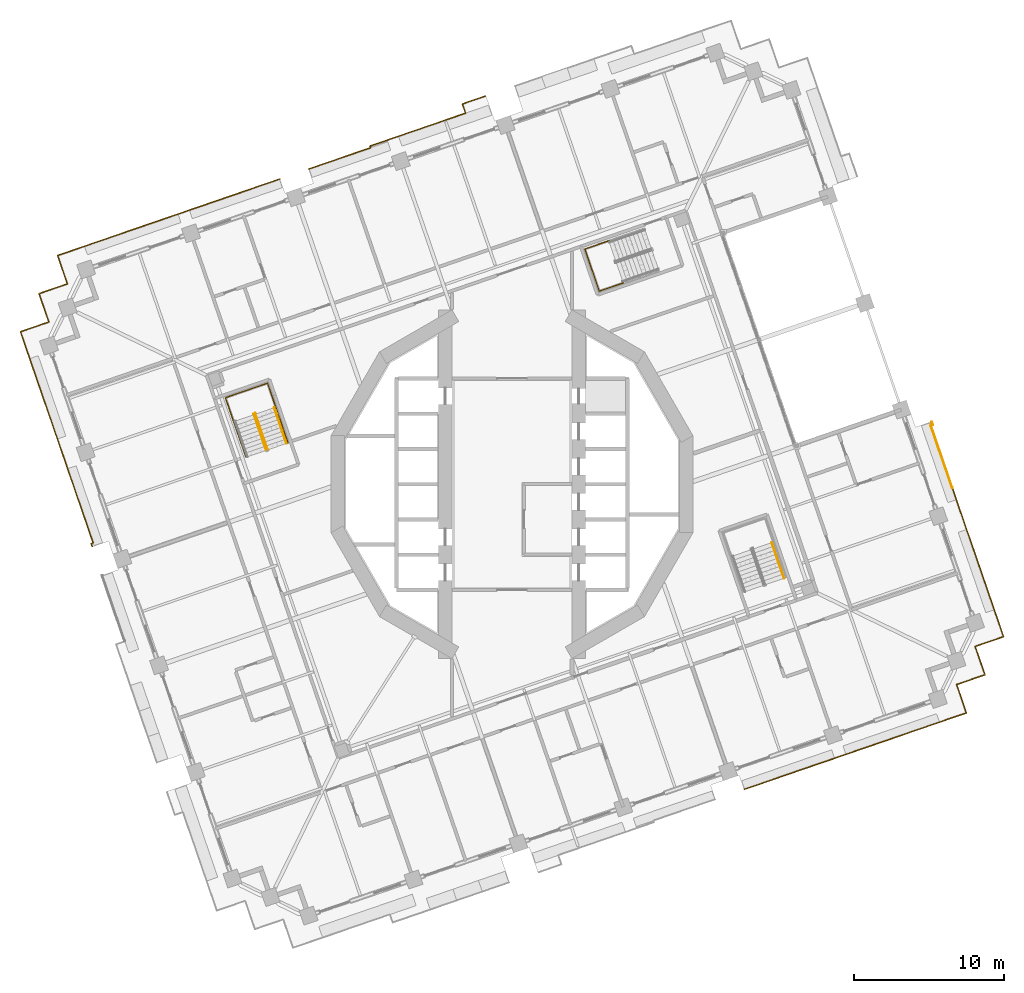
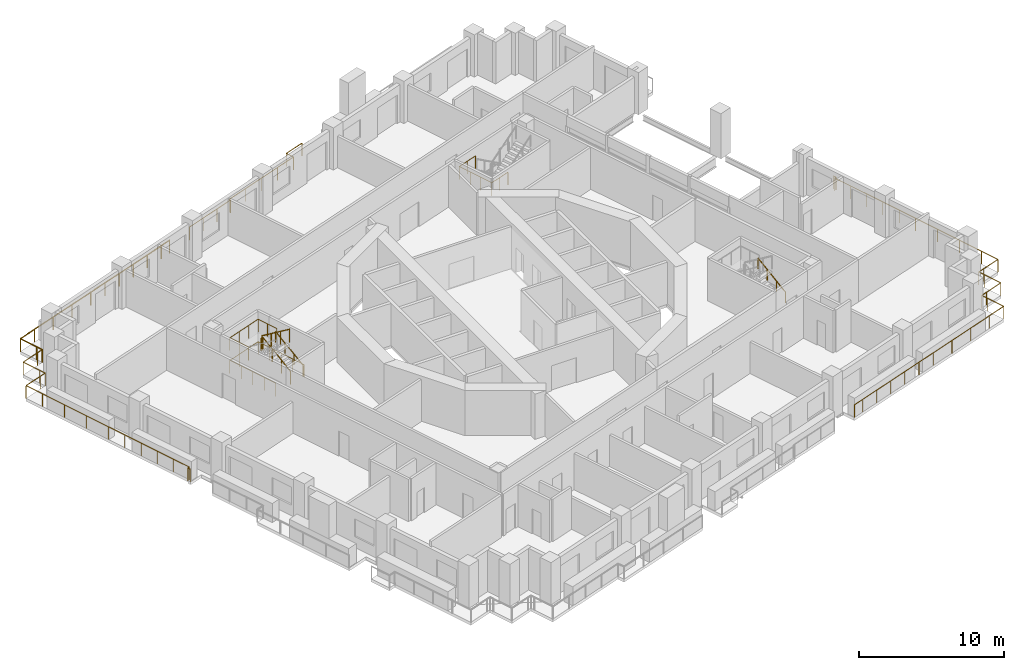
# One storey, part 17 of 19: 12 railings.
"""IFC4 building model written with IfcOpenShell, lengths in metres."""

import ifcopenshell
import ifcopenshell.guid

model = None  # the IFC model being written
_history = None  # IfcOwnerHistory: only IFC2X3 demands one
_inside = {}  # id of a spatial element -> (the spatial element, [elements in it])
_under = {}  # id of a project, library or spatial element -> (it, [spatial elements below it])
_declared = {}  # id of a project -> (the project, [libraries it declares])
_typed = {}  # id of a type object -> (the type object, [elements of that type])
_made_of = {}  # id of a material, layer set ... -> (it, [elements and type objects made of it])


def new_model(schema):
    """Start an empty IFC model of exactly this schema.

    Asked for "IFC4X3", IfcOpenShell would pick the latest addendum, in which some entities
    have other attributes; the version numbers below select the first issue.
    IFC2X3 requires an IfcOwnerHistory on every rooted entity: one is made here for all.
    """
    global model, _history
    if schema == "IFC4X3":
        model = ifcopenshell.file(schema_version=(4, 3, 0, 0))
    else:
        model = ifcopenshell.file(schema=schema)
    _inside.clear()
    _under.clear()
    _declared.clear()
    _typed.clear()
    _made_of.clear()
    _history = None
    if model.schema == "IFC2X3":
        org = make("IfcOrganization", Name="unknown")
        user = make(
            "IfcPersonAndOrganization",
            ThePerson=make("IfcPerson", FamilyName="unknown"),
            TheOrganization=org,
        )
        app = make(
            "IfcApplication",
            ApplicationDeveloper=org,
            Version="unknown",
            ApplicationFullName="unknown",
            ApplicationIdentifier="unknown",
        )
        _history = make(
            "IfcOwnerHistory",
            OwningUser=user,
            OwningApplication=app,
            ChangeAction="ADDED",
            CreationDate=0,
        )
    return model


def make(cls, **values):
    """One entity of the class cls with the attributes given. An attribute that is None is left unset."""
    return model.create_entity(
        cls, **{name: value for name, value in values.items() if value is not None}
    )


def rooted(cls, **values):
    """An entity with a GlobalId (a new one), such as an element, a storey or a relation."""
    return make(cls, GlobalId=ifcopenshell.guid.new(), OwnerHistory=_history, **values)


def si_unit(unit_type, name, prefix=None):
    """IfcSIUnit, for example si_unit("LENGTHUNIT", "METRE", prefix="MILLI")."""
    return make("IfcSIUnit", UnitType=unit_type, Prefix=prefix, Name=name)


def assignment(units):
    """IfcUnitAssignment: the units of a project."""
    return None if units is None else make("IfcUnitAssignment", Units=units)


def point(xyz):
    """IfcCartesianPoint."""
    return None if xyz is None else make("IfcCartesianPoint", Coordinates=xyz)


def direction(xyz):
    """IfcDirection."""
    return None if xyz is None else make("IfcDirection", DirectionRatios=xyz)


def frame(location, z_axis=None, x_axis=None):
    """IfcAxis2Placement3D, a coordinate frame: its origin and axes. An axis left out is left unset."""
    return make(
        "IfcAxis2Placement3D",
        Location=point(location),
        Axis=direction(z_axis),
        RefDirection=direction(x_axis),
    )


def frame_2d(location, x_axis=None):
    """IfcAxis2Placement2D, a coordinate frame in the plane: its origin and x axis."""
    return make(
        "IfcAxis2Placement2D", Location=point(location), RefDirection=direction(x_axis)
    )


def origin():
    """The frame at (0, 0, 0) with its axes left unset."""
    return frame((0.0, 0.0, 0.0))


def origin_2d():
    """The frame at (0, 0) in the plane with its x axis left unset."""
    return frame_2d((0.0, 0.0))


def place(relative_to, where):
    """IfcLocalPlacement: puts the frame where relative to a parent placement (None: the world)."""
    return make(
        "IfcLocalPlacement", PlacementRelTo=relative_to, RelativePlacement=where
    )


def context(
    kind, dimensions, precision=None, world=None, true_north=None, identifier=None
):
    """IfcGeometricRepresentationContext, for example the 3D "Model" context."""
    return make(
        "IfcGeometricRepresentationContext",
        ContextIdentifier=identifier,
        ContextType=kind,
        CoordinateSpaceDimension=dimensions,
        Precision=precision,
        WorldCoordinateSystem=world,
        TrueNorth=true_north,
    )


def subcontext(parent, identifier, kind, view, scale=None):
    """IfcGeometricRepresentationSubContext, for example "Body" below "Model"."""
    return make(
        "IfcGeometricRepresentationSubContext",
        ContextIdentifier=identifier,
        ContextType=kind,
        ParentContext=parent,
        TargetScale=scale,
        TargetView=view,
    )


def project(units=None, contexts=None):
    """IfcProject with its units and contexts."""
    return rooted(
        "IfcProject",
        Name="project",
        RepresentationContexts=contexts,
        UnitsInContext=assignment(units),
    )


def spatial(cls, under=None, at=None, **own):
    """A site, building, storey or space (cls), placed at a placement, below another one or the project."""
    s = rooted(cls, ObjectPlacement=at, **own)
    if under is not None:
        _under.setdefault(under.id(), (under, []))[1].append(s)
    return s


def profile(cls, at=None, kind="AREA", **sizes):
    """A parametric profile (cls). Its sizes go by their IFC names, for example OverallWidth=200.0."""
    return make(cls, ProfileType=kind, Position=at, **sizes)


def circle(**sizes):
    """IfcCircleProfileDef."""
    return profile("IfcCircleProfileDef", **sizes)


def extrude(swept, where, along, depth):
    """IfcExtrudedAreaSolid: the profile swept, set in the frame where, extruded along a direction by depth."""
    return make(
        "IfcExtrudedAreaSolid",
        SweptArea=swept,
        Position=where,
        ExtrudedDirection=direction(along),
        Depth=depth,
    )


def shape(context_of_items, identifier, shape_type, items):
    """IfcShapeRepresentation: the items that make up one representation, for example the "Body"."""
    return make(
        "IfcShapeRepresentation",
        ContextOfItems=context_of_items,
        RepresentationIdentifier=identifier,
        RepresentationType=shape_type,
        Items=items,
    )


def material(Name=None, Category=None):
    """IfcMaterial."""
    return make("IfcMaterial", Name=Name, Category=Category)


def made_of(thing, what):
    """Note that an element or type object is made of a material, layer set ...; save() writes the relation."""
    if what is not None:
        _made_of.setdefault(what.id(), (what, []))[1].append(thing)
    return thing


def type_object(cls, material=None, **own):
    """A type object (cls), such as IfcWallType, which elements share."""
    return made_of(rooted(cls, **own), material)


def element(
    cls,
    number,
    at=None,
    inside=None,
    cuts=None,
    type_object=None,
    material=None,
    context=None,
    identifier="Body",
    shape_type=None,
    held_by="IfcProductDefinitionShape",
    body=None,
    shapes=None,
    **own,
):
    """One element of the class cls, such as IfcWall. Its Tag is "e" and its number.

    at: its placement. inside: the storey or other place that contains it. cuts: it is an
    opening in that element (IfcRelVoidsElement). A single representation is given by context,
    identifier, shape_type and body (its items); several are given by shapes. held_by: the class
    of the entity that holds the representations. save() writes the other relations.
    """
    e = rooted(cls, Tag="e%d" % number, ObjectPlacement=at, **own)
    if body is not None:
        shapes = [shape(context, identifier, shape_type, body)]
    if shapes is not None:
        e.Representation = make(held_by, Representations=shapes)
    if inside is not None:
        _inside.setdefault(inside.id(), (inside, []))[1].append(e)
    if cuts is not None:
        rooted(
            "IfcRelVoidsElement", RelatingBuildingElement=cuts, RelatedOpeningElement=e
        )
    if type_object is not None:
        _typed.setdefault(type_object.id(), (type_object, []))[1].append(e)
    return made_of(e, material)


def aggregate(whole, parts):
    """IfcRelAggregates: a whole, such as a stair, and the parts it consists of."""
    return rooted("IfcRelAggregates", RelatingObject=whole, RelatedObjects=parts)


def save(model, path):
    """Write the relations noted so far, then the file.

    IfcRelAggregates (storeys below a building ...), IfcRelContainedInSpatialStructure (elements
    in a storey), IfcRelDefinesByType, IfcRelAssociatesMaterial and IfcRelDeclares: one each for
    every whole, place, type object, material and project.
    """
    for whole, parts in _under.values():
        aggregate(whole, parts)
    for where, things in _inside.values():
        rooted(
            "IfcRelContainedInSpatialStructure",
            RelatedElements=things,
            RelatingStructure=where,
        )
    for kind, things in _typed.values():
        rooted("IfcRelDefinesByType", RelatedObjects=things, RelatingType=kind)
    for what, things in _made_of.values():
        rooted("IfcRelAssociatesMaterial", RelatedObjects=things, RelatingMaterial=what)
    for by, libraries in _declared.values():
        rooted("IfcRelDeclares", RelatingContext=by, RelatedDefinitions=libraries)
    model.write(path)


model = new_model("IFC4")

# Units and contexts
model_context = context("Model", 3, precision=1e-05, world=origin(), true_north=direction((0.0, 1.0)))
body_context = subcontext(model_context, "Body", "Model", "MODEL_VIEW")
ifc_project = project(units=[si_unit("LENGTHUNIT", "METRE"), si_unit("AREAUNIT", "SQUARE_METRE"), si_unit("VOLUMEUNIT", "CUBIC_METRE"), si_unit("PLANEANGLEUNIT", "RADIAN"), si_unit("MASSUNIT", "GRAM", prefix="KILO")], contexts=[model_context])

# Site, building, storey
site_placement = place(None, origin())
site = spatial("IfcSite", under=ifc_project, at=site_placement, CompositionType="ELEMENT")
building_placement = place(site_placement, origin())
building = spatial("IfcBuilding", under=site, at=building_placement, Name="Cantera Rosa Tower", CompositionType="ELEMENT")
storey_placement = place(building_placement, frame((0.0, 0.0, 130.699951171875)))
storey = spatial("IfcBuildingStorey", under=building, at=storey_placement, Name="L27", CompositionType="ELEMENT", Elevation=130.699951171875)

# Railings
ifc_material_1 = material(Name="Stainless steel and laminated glass", Category="steel")
railing_type_1 = type_object("IfcRailingType", Name="GUARD 1100", PredefinedType="BALUSTRADE", material=ifc_material_1)
railing_1_placement = place(storey_placement, frame((-29.6689453125, 13.369140625, 0.0)))
element("IfcRailing", 1, at=railing_1_placement, inside=storey, type_object=railing_type_1, Name="GUARD L27-5", PredefinedType="BALUSTRADE", context=body_context, shape_type="SweptSolid", body=[
    extrude(circle(Radius=0.030029296875, at=origin_2d()), frame((0.0, 0.0, 1.070068359375), z_axis=(-0.32573481536, 0.945461173218, 0.0), x_axis=(-0.945461173218, -0.32573481536, 0.0)), (0.0, 0.0, 1.0), 0.5),
    extrude(circle(Radius=0.030029296875, at=origin_2d()), frame((-0.162841796875, 0.47265625, 1.070068359375), z_axis=(-0.325489086777, 0.945545797087, 0.0), x_axis=(-0.945545797087, -0.325489086777, 0.0)), (0.0, 0.0, 1.0), 1.500244140625),
    extrude(circle(Radius=0.030029296875, at=origin_2d()), frame((-0.651123046875, 1.89111328125, 1.070068359375), z_axis=(0.945528551438, 0.325539181077, 0.0), x_axis=(-0.325539181077, 0.945528551438, 0.0)), (0.0, 0.0, 1.0), 1.5),
    extrude(circle(Radius=0.030029296875, at=origin_2d()), frame((0.76708984375, 2.37939453125, 1.070068359375), z_axis=(0.945517123015, 0.325572373037, 0.0), x_axis=(-0.325572373037, 0.945517123015, 0.0)), (0.0, 0.0, 1.0), 5.900146484375),
    extrude(circle(Radius=0.030029296875, at=origin_2d()), frame((6.345703125, 4.30029296875, 1.070068359375), z_axis=(0.945528551438, 0.325539181077, 0.0), x_axis=(-0.325539181077, 0.945528551438, 0.0)), (0.0, 0.0, 1.0), 2.999755859375),
    extrude(circle(Radius=0.030029296875, at=origin_2d()), frame((9.18212890625, 5.27685546875, 1.070068359375), z_axis=(0.945513227049, 0.325583687361, 0.0), x_axis=(-0.325583687361, 0.945513227049, 0.0)), (0.0, 0.0, 1.0), 4.400146484375),
    extrude(circle(Radius=0.030029296875, at=origin_2d()), frame((13.342529296875, 6.70947265625, 1.070068359375), z_axis=(0.945522007901, 0.325558186158, 0.0), x_axis=(-0.325558186158, 0.945522007901, 0.0)), (0.0, 0.0, 1.0), 0.869873046875),
    extrude(circle(Radius=0.02490234375, at=origin_2d()), origin(), (0.0, 0.0, 1.0), 1.0400390625),
    extrude(circle(Radius=0.02490234375, at=origin_2d()), frame((-0.162841796875, 0.47265625, 0.0)), (0.0, 0.0, 1.0), 1.0400390625),
    extrude(circle(Radius=0.02490234375, at=origin_2d()), frame((-0.651123046875, 1.89111328125, 0.0)), (0.0, 0.0, 1.0), 1.0400390625),
    extrude(circle(Radius=0.02490234375, at=origin_2d()), frame((0.76708984375, 2.37939453125, 0.0)), (0.0, 0.0, 1.0), 1.0400390625),
    extrude(circle(Radius=0.02490234375, at=origin_2d()), frame((2.626708984375, 3.019775390625, 0.0)), (0.0, 0.0, 1.0), 1.0400390625),
    extrude(circle(Radius=0.02490234375, at=origin_2d()), frame((4.486083984375, 3.659912109375, 0.0)), (0.0, 0.0, 1.0), 1.0400390625),
    extrude(circle(Radius=0.02490234375, at=origin_2d()), frame((6.345703125, 4.30029296875, 0.0)), (0.0, 0.0, 1.0), 1.0400390625),
    extrude(circle(Radius=0.02490234375, at=origin_2d()), frame((7.763916015625, 4.78857421875, 0.0)), (0.0, 0.0, 1.0), 1.0400390625),
    extrude(circle(Radius=0.02490234375, at=origin_2d()), frame((9.18212890625, 5.27685546875, 0.0)), (0.0, 0.0, 1.0), 1.0400390625),
    extrude(circle(Radius=0.02490234375, at=origin_2d()), frame((10.56884765625, 5.75439453125, 0.0)), (0.0, 0.0, 1.0), 1.0400390625),
    extrude(circle(Radius=0.02490234375, at=origin_2d()), frame((11.955810546875, 6.23193359375, 0.0)), (0.0, 0.0, 1.0), 1.0400390625),
    extrude(circle(Radius=0.02490234375, at=origin_2d()), frame((13.342529296875, 6.70947265625, 0.0)), (0.0, 0.0, 1.0), 1.0400390625),
    extrude(circle(Radius=0.02490234375, at=origin_2d()), frame((14.1650390625, 6.99267578125, 0.0)), (0.0, 0.0, 1.0), 1.0400390625),
])
railing_2_placement = place(storey_placement, frame((-28.011474609375, -4.156005859375, 0.0)))
element("IfcRailing", 2, at=railing_2_placement, inside=storey, type_object=railing_type_1, Name="GUARD L27-6", PredefinedType="BALUSTRADE", context=body_context, shape_type="SweptSolid", body=[
    extrude(circle(Radius=0.030029296875, at=origin_2d()), frame((0.0, 0.0, 1.070068359375), z_axis=(-0.325701817188, 0.945472541262, 0.0), x_axis=(-0.945472541262, -0.325701817188, 0.0)), (0.0, 0.0, 1.0), 0.20849609375),
    extrude(circle(Radius=0.030029296875, at=origin_2d()), frame((-0.06787109375, 0.197021484375, 1.070068359375), z_axis=(0.945279234775, 0.32626242245, 0.0), x_axis=(-0.32626242245, 0.945279234775, 0.0)), (0.0, 0.0, 1.0), 0.138427734375),
    extrude(circle(Radius=0.030029296875, at=origin_2d()), frame((0.06298828125, 0.2421875, 1.070068359375), z_axis=(-0.325573371497, 0.945516779212, 0.0), x_axis=(-0.945516779212, -0.325573371497, 0.0)), (0.0, 0.0, 1.0), 4.381591796875),
    extrude(circle(Radius=0.030029296875, at=origin_2d()), frame((-1.363525390625, 4.385009765625, 1.070068359375), z_axis=(-0.325539181077, 0.945528551438, 0.0), x_axis=(-0.945528551438, -0.325539181077, 0.0)), (0.0, 0.0, 1.0), 2.999755859375),
    extrude(circle(Radius=0.030029296875, at=origin_2d()), frame((-2.340087890625, 7.221435546875, 1.070068359375), z_axis=(-0.325568215952, 0.945518554425, 0.0), x_axis=(-0.945518554425, -0.325568215952, 0.0)), (0.0, 0.0, 1.0), 6.02001953125),
    extrude(circle(Radius=0.030029296875, at=origin_2d()), frame((-4.300048828125, 12.91357421875, 1.070068359375), z_axis=(-0.325539181077, 0.945528551438, 0.0), x_axis=(-0.945528551438, -0.325539181077, 0.0)), (0.0, 0.0, 1.0), 1.5),
    extrude(circle(Radius=0.030029296875, at=origin_2d()), frame((-4.788330078125, 14.331787109375, 1.070068359375), z_axis=(0.945528551438, 0.325539181077, 0.0), x_axis=(-0.325539181077, 0.945528551438, 0.0)), (0.0, 0.0, 1.0), 1.5),
    extrude(circle(Radius=0.030029296875, at=origin_2d()), frame((-3.3701171875, 14.820068359375, 1.070068359375), z_axis=(0.945461173218, 0.32573481536, 0.0), x_axis=(-0.32573481536, 0.945461173218, 0.0)), (0.0, 0.0, 1.0), 0.5),
    extrude(circle(Radius=0.030029296875, at=origin_2d()), frame((-2.8974609375, 14.98291015625, 1.070068359375), z_axis=(-0.325147989177, 0.945663145699, 0.0), x_axis=(-0.945663145699, -0.325147989177, 0.0)), (0.0, 0.0, 1.0), 0.5),
    extrude(circle(Radius=0.030029296875, at=origin_2d()), frame((-3.06005859375, 15.455810546875, 1.070068359375), z_axis=(-0.325684689469, 0.945478441343, 0.0), x_axis=(-0.945478441343, -0.325684689469, 0.0)), (0.0, 0.0, 1.0), 1.5),
    extrude(circle(Radius=0.030029296875, at=origin_2d()), frame((-3.548583984375, 16.8740234375, 1.070068359375), z_axis=(0.945545797087, 0.325489086777, 0.0), x_axis=(-0.325489086777, 0.945545797087, 0.0)), (0.0, 0.0, 1.0), 1.500244140625),
    extrude(circle(Radius=0.030029296875, at=origin_2d()), frame((-2.130126953125, 17.3623046875, 1.070068359375), z_axis=(0.945461173218, 0.32573481536, 0.0), x_axis=(-0.32573481536, 0.945461173218, 0.0)), (0.0, 0.0, 1.0), 0.5),
    extrude(circle(Radius=0.02490234375, at=origin_2d()), origin(), (0.0, 0.0, 1.0), 1.0400390625),
    extrude(circle(Radius=0.02490234375, at=origin_2d()), frame((-0.06787109375, 0.197021484375, 0.0)), (0.0, 0.0, 1.0), 1.0400390625),
    extrude(circle(Radius=0.02490234375, at=origin_2d()), frame((0.06298828125, 0.2421875, 0.0)), (0.0, 0.0, 1.0), 1.0400390625),
    extrude(circle(Radius=0.02490234375, at=origin_2d()), frame((-0.41259765625, 1.623046875, 0.0)), (0.0, 0.0, 1.0), 1.0400390625),
    extrude(circle(Radius=0.02490234375, at=origin_2d()), frame((-0.887939453125, 3.004150390625, 0.0)), (0.0, 0.0, 1.0), 1.0400390625),
    extrude(circle(Radius=0.02490234375, at=origin_2d()), frame((-1.363525390625, 4.385009765625, 0.0)), (0.0, 0.0, 1.0), 1.0400390625),
    extrude(circle(Radius=0.02490234375, at=origin_2d()), frame((-1.851806640625, 5.80322265625, 0.0)), (0.0, 0.0, 1.0), 1.0400390625),
    extrude(circle(Radius=0.02490234375, at=origin_2d()), frame((-2.340087890625, 7.221435546875, 0.0)), (0.0, 0.0, 1.0), 1.0400390625),
    extrude(circle(Radius=0.02490234375, at=origin_2d()), frame((-2.993408203125, 9.118896484375, 0.0)), (0.0, 0.0, 1.0), 1.0400390625),
    extrude(circle(Radius=0.02490234375, at=origin_2d()), frame((-3.646728515625, 11.01611328125, 0.0)), (0.0, 0.0, 1.0), 1.0400390625),
    extrude(circle(Radius=0.02490234375, at=origin_2d()), frame((-4.300048828125, 12.91357421875, 0.0)), (0.0, 0.0, 1.0), 1.0400390625),
    extrude(circle(Radius=0.02490234375, at=origin_2d()), frame((-4.788330078125, 14.331787109375, 0.0)), (0.0, 0.0, 1.0), 1.0400390625),
    extrude(circle(Radius=0.02490234375, at=origin_2d()), frame((-3.3701171875, 14.820068359375, 0.0)), (0.0, 0.0, 1.0), 1.0400390625),
    extrude(circle(Radius=0.02490234375, at=origin_2d()), frame((-2.8974609375, 14.98291015625, 0.0)), (0.0, 0.0, 1.0), 1.0400390625),
    extrude(circle(Radius=0.02490234375, at=origin_2d()), frame((-3.06005859375, 15.455810546875, 0.0)), (0.0, 0.0, 1.0), 1.0400390625),
    extrude(circle(Radius=0.02490234375, at=origin_2d()), frame((-3.548583984375, 16.8740234375, 0.0)), (0.0, 0.0, 1.0), 1.0400390625),
    extrude(circle(Radius=0.02490234375, at=origin_2d()), frame((-2.130126953125, 17.3623046875, 0.0)), (0.0, 0.0, 1.0), 1.0400390625),
    extrude(circle(Radius=0.02490234375, at=origin_2d()), frame((-1.657470703125, 17.525146484375, 0.0)), (0.0, 0.0, 1.0), 1.0400390625),
])
railing_3_placement = place(storey_placement, frame((-13.55615234375, 21.032470703125, 0.0)))
element("IfcRailing", 3, at=railing_3_placement, inside=storey, type_object=railing_type_1, Name="GUARD L27-7", PredefinedType="BALUSTRADE", context=body_context, shape_type="SweptSolid", body=[
    extrude(circle(Radius=0.030029296875, at=origin_2d()), frame((0.0, 0.0, 1.070068359375), z_axis=(0.946220044844, 0.323523765333, 0.0), x_axis=(-0.323523765333, 0.946220044844, 0.0)), (0.0, 0.0, 1.0), 0.070068359375),
    extrude(circle(Radius=0.030029296875, at=origin_2d()), frame((0.06640625, 0.022705078125, 1.070068359375), z_axis=(0.945512264962, 0.325586481301, 0.0), x_axis=(-0.325586481301, 0.945512264962, 0.0)), (0.0, 0.0, 1.0), 4.28173828125),
    extrude(circle(Radius=0.030029296875, at=origin_2d()), frame((4.11474609375, 1.416748046875, 1.070068359375), z_axis=(-0.326117900523, 0.945329104047, 0.0), x_axis=(-0.945329104047, -0.326117900523, 0.0)), (0.0, 0.0, 1.0), 0.1181640625),
    extrude(circle(Radius=0.030029296875, at=origin_2d()), frame((4.076171875, 1.528564453125, 1.070068359375), z_axis=(0.945519334272, 0.325565951103, 0.0), x_axis=(-0.325565951103, 0.945519334272, 0.0)), (0.0, 0.0, 1.0), 6.749755859375),
    extrude(circle(Radius=0.030029296875, at=origin_2d()), frame((10.458251953125, 3.72607421875, 1.070068359375), z_axis=(-0.32578247151, 0.945444753149, 0.0), x_axis=(-0.945444753149, -0.32578247151, 0.0)), (0.0, 0.0, 1.0), 0.650390625),
    extrude(circle(Radius=0.030029296875, at=origin_2d()), frame((10.246337890625, 4.341064453125, 1.070068359375), z_axis=(0.945523301181, 0.325554430047, 0.0), x_axis=(-0.325554430047, 0.945523301181, 0.0)), (0.0, 0.0, 1.0), 1.638671875),
    extrude(circle(Radius=0.02490234375, at=origin_2d()), origin(), (0.0, 0.0, 1.0), 1.0400390625),
    extrude(circle(Radius=0.02490234375, at=origin_2d()), frame((0.06640625, 0.022705078125, 0.0)), (0.0, 0.0, 1.0), 1.0400390625),
    extrude(circle(Radius=0.02490234375, at=origin_2d()), frame((1.415771484375, 0.4873046875, 0.0)), (0.0, 0.0, 1.0), 1.0400390625),
    extrude(circle(Radius=0.02490234375, at=origin_2d()), frame((2.765380859375, 0.9521484375, 0.0)), (0.0, 0.0, 1.0), 1.0400390625),
    extrude(circle(Radius=0.02490234375, at=origin_2d()), frame((4.11474609375, 1.416748046875, 0.0)), (0.0, 0.0, 1.0), 1.0400390625),
    extrude(circle(Radius=0.02490234375, at=origin_2d()), frame((4.076171875, 1.528564453125, 0.0)), (0.0, 0.0, 1.0), 1.0400390625),
    extrude(circle(Radius=0.02490234375, at=origin_2d()), frame((5.671630859375, 2.077880859375, 0.0)), (0.0, 0.0, 1.0), 1.0400390625),
    extrude(circle(Radius=0.02490234375, at=origin_2d()), frame((7.26708984375, 2.62744140625, 0.0)), (0.0, 0.0, 1.0), 1.0400390625),
    extrude(circle(Radius=0.02490234375, at=origin_2d()), frame((8.86279296875, 3.1767578125, 0.0)), (0.0, 0.0, 1.0), 1.0400390625),
    extrude(circle(Radius=0.02490234375, at=origin_2d()), frame((10.458251953125, 3.72607421875, 0.0)), (0.0, 0.0, 1.0), 1.0400390625),
    extrude(circle(Radius=0.02490234375, at=origin_2d()), frame((10.246337890625, 4.341064453125, 0.0)), (0.0, 0.0, 1.0), 1.0400390625),
    extrude(circle(Radius=0.02490234375, at=origin_2d()), frame((11.795654296875, 4.87451171875, 0.0)), (0.0, 0.0, 1.0), 1.0400390625),
])
railing_4_placement = place(storey_placement, frame((29.375, -0.22900390625, 0.0)))
element("IfcRailing", 4, at=railing_4_placement, inside=storey, type_object=railing_type_1, Name="GUARD L27-9", PredefinedType="BALUSTRADE", context=body_context, shape_type="SweptSolid", body=[
    extrude(circle(Radius=0.030029296875, at=origin_2d()), frame((0.0, 0.0, 1.070068359375), z_axis=(0.325539181077, -0.945528551438, 0.0), x_axis=(0.945528551438, 0.325539181077, 0.0)), (0.0, 0.0, 1.0), 2.999755859375),
    extrude(circle(Radius=0.030029296875, at=origin_2d()), frame((0.9765625, -2.83642578125, 1.070068359375), z_axis=(0.325568215952, -0.945518554425, 0.0), x_axis=(0.945518554425, 0.325568215952, 0.0)), (0.0, 0.0, 1.0), 6.02001953125),
    extrude(circle(Radius=0.030029296875, at=origin_2d()), frame((2.9365234375, -8.528564453125, 1.070068359375), z_axis=(0.325539181077, -0.945528551438, 0.0), x_axis=(0.945528551438, 0.325539181077, 0.0)), (0.0, 0.0, 1.0), 1.5),
    extrude(circle(Radius=0.030029296875, at=origin_2d()), frame((3.4248046875, -9.94677734375, 1.070068359375), z_axis=(-0.945528551438, -0.325539181077, 0.0), x_axis=(0.325539181077, -0.945528551438, 0.0)), (0.0, 0.0, 1.0), 1.5),
    extrude(circle(Radius=0.030029296875, at=origin_2d()), frame((2.006591796875, -10.43505859375, 1.070068359375), z_axis=(-0.945461173218, -0.32573481536, 0.0), x_axis=(0.32573481536, -0.945461173218, 0.0)), (0.0, 0.0, 1.0), 0.5),
    extrude(circle(Radius=0.030029296875, at=origin_2d()), frame((1.533935546875, -10.597900390625, 1.070068359375), z_axis=(0.325147989177, -0.945663145699, 0.0), x_axis=(0.945663145699, 0.325147989177, 0.0)), (0.0, 0.0, 1.0), 0.5),
    extrude(circle(Radius=0.030029296875, at=origin_2d()), frame((1.696533203125, -11.07080078125, 1.070068359375), z_axis=(0.325684689469, -0.945478441343, 0.0), x_axis=(0.945478441343, 0.325684689469, 0.0)), (0.0, 0.0, 1.0), 1.5),
    extrude(circle(Radius=0.030029296875, at=origin_2d()), frame((2.18505859375, -12.489013671875, 1.070068359375), z_axis=(-0.945545797087, -0.325489086777, 0.0), x_axis=(0.325489086777, -0.945545797087, 0.0)), (0.0, 0.0, 1.0), 1.500244140625),
    extrude(circle(Radius=0.030029296875, at=origin_2d()), frame((0.7666015625, -12.977294921875, 1.070068359375), z_axis=(-0.945461173218, -0.32573481536, 0.0), x_axis=(0.32573481536, -0.945461173218, 0.0)), (0.0, 0.0, 1.0), 0.5),
    extrude(circle(Radius=0.030029296875, at=origin_2d()), frame((0.2939453125, -13.14013671875, 1.070068359375), z_axis=(0.32573481536, -0.945461173218, 0.0), x_axis=(0.945461173218, 0.32573481536, 0.0)), (0.0, 0.0, 1.0), 0.5),
    extrude(circle(Radius=0.030029296875, at=origin_2d()), frame((0.456787109375, -13.61279296875, 1.070068359375), z_axis=(0.325489086777, -0.945545797087, 0.0), x_axis=(0.945545797087, 0.325489086777, 0.0)), (0.0, 0.0, 1.0), 1.500244140625),
    extrude(circle(Radius=0.030029296875, at=origin_2d()), frame((0.945068359375, -15.03125, 1.070068359375), z_axis=(-0.945528551438, -0.325539181077, 0.0), x_axis=(0.325539181077, -0.945528551438, 0.0)), (0.0, 0.0, 1.0), 1.5),
    extrude(circle(Radius=0.030029296875, at=origin_2d()), frame((-0.47314453125, -15.51953125, 1.070068359375), z_axis=(-0.945517123015, -0.325572373037, 0.0), x_axis=(0.325572373037, -0.945517123015, 0.0)), (0.0, 0.0, 1.0), 5.900146484375),
    extrude(circle(Radius=0.030029296875, at=origin_2d()), frame((-6.0517578125, -17.4404296875, 1.070068359375), z_axis=(-0.945528551438, -0.325539181077, 0.0), x_axis=(0.325539181077, -0.945528551438, 0.0)), (0.0, 0.0, 1.0), 2.999755859375),
    extrude(circle(Radius=0.030029296875, at=origin_2d()), frame((-8.88818359375, -18.4169921875, 1.070068359375), z_axis=(-0.945513227049, -0.325583687361, 0.0), x_axis=(0.325583687361, -0.945513227049, 0.0)), (0.0, 0.0, 1.0), 4.400146484375),
    extrude(circle(Radius=0.030029296875, at=origin_2d()), frame((-13.048583984375, -19.849609375, 1.070068359375), z_axis=(-0.945522007901, -0.325558186158, 0.0), x_axis=(0.325558186158, -0.945522007901, 0.0)), (0.0, 0.0, 1.0), 0.869873046875),
    extrude(circle(Radius=0.02490234375, at=origin_2d()), origin(), (0.0, 0.0, 1.0), 1.0400390625),
    extrude(circle(Radius=0.02490234375, at=origin_2d()), frame((0.48828125, -1.418212890625, 0.0)), (0.0, 0.0, 1.0), 1.0400390625),
    extrude(circle(Radius=0.02490234375, at=origin_2d()), frame((0.9765625, -2.83642578125, 0.0)), (0.0, 0.0, 1.0), 1.0400390625),
    extrude(circle(Radius=0.02490234375, at=origin_2d()), frame((1.6298828125, -4.73388671875, 0.0)), (0.0, 0.0, 1.0), 1.0400390625),
    extrude(circle(Radius=0.02490234375, at=origin_2d()), frame((2.283203125, -6.631103515625, 0.0)), (0.0, 0.0, 1.0), 1.0400390625),
    extrude(circle(Radius=0.02490234375, at=origin_2d()), frame((2.9365234375, -8.528564453125, 0.0)), (0.0, 0.0, 1.0), 1.0400390625),
    extrude(circle(Radius=0.02490234375, at=origin_2d()), frame((3.4248046875, -9.94677734375, 0.0)), (0.0, 0.0, 1.0), 1.0400390625),
    extrude(circle(Radius=0.02490234375, at=origin_2d()), frame((2.006591796875, -10.43505859375, 0.0)), (0.0, 0.0, 1.0), 1.0400390625),
    extrude(circle(Radius=0.02490234375, at=origin_2d()), frame((1.533935546875, -10.597900390625, 0.0)), (0.0, 0.0, 1.0), 1.0400390625),
    extrude(circle(Radius=0.02490234375, at=origin_2d()), frame((1.696533203125, -11.07080078125, 0.0)), (0.0, 0.0, 1.0), 1.0400390625),
    extrude(circle(Radius=0.02490234375, at=origin_2d()), frame((2.18505859375, -12.489013671875, 0.0)), (0.0, 0.0, 1.0), 1.0400390625),
    extrude(circle(Radius=0.02490234375, at=origin_2d()), frame((0.7666015625, -12.977294921875, 0.0)), (0.0, 0.0, 1.0), 1.0400390625),
    extrude(circle(Radius=0.02490234375, at=origin_2d()), frame((0.2939453125, -13.14013671875, 0.0)), (0.0, 0.0, 1.0), 1.0400390625),
    extrude(circle(Radius=0.02490234375, at=origin_2d()), frame((0.456787109375, -13.61279296875, 0.0)), (0.0, 0.0, 1.0), 1.0400390625),
    extrude(circle(Radius=0.02490234375, at=origin_2d()), frame((0.945068359375, -15.03125, 0.0)), (0.0, 0.0, 1.0), 1.0400390625),
    extrude(circle(Radius=0.02490234375, at=origin_2d()), frame((-0.47314453125, -15.51953125, 0.0)), (0.0, 0.0, 1.0), 1.0400390625),
    extrude(circle(Radius=0.02490234375, at=origin_2d()), frame((-2.332763671875, -16.159912109375, 0.0)), (0.0, 0.0, 1.0), 1.0400390625),
    extrude(circle(Radius=0.02490234375, at=origin_2d()), frame((-4.192138671875, -16.800048828125, 0.0)), (0.0, 0.0, 1.0), 1.0400390625),
    extrude(circle(Radius=0.02490234375, at=origin_2d()), frame((-6.0517578125, -17.4404296875, 0.0)), (0.0, 0.0, 1.0), 1.0400390625),
    extrude(circle(Radius=0.02490234375, at=origin_2d()), frame((-7.469970703125, -17.9287109375, 0.0)), (0.0, 0.0, 1.0), 1.0400390625),
    extrude(circle(Radius=0.02490234375, at=origin_2d()), frame((-8.88818359375, -18.4169921875, 0.0)), (0.0, 0.0, 1.0), 1.0400390625),
    extrude(circle(Radius=0.02490234375, at=origin_2d()), frame((-10.27490234375, -18.89453125, 0.0)), (0.0, 0.0, 1.0), 1.0400390625),
    extrude(circle(Radius=0.02490234375, at=origin_2d()), frame((-11.661865234375, -19.3720703125, 0.0)), (0.0, 0.0, 1.0), 1.0400390625),
    extrude(circle(Radius=0.02490234375, at=origin_2d()), frame((-13.048583984375, -19.849609375, 0.0)), (0.0, 0.0, 1.0), 1.0400390625),
    extrude(circle(Radius=0.02490234375, at=origin_2d()), frame((-13.87109375, -20.1328125, 0.0)), (0.0, 0.0, 1.0), 1.0400390625),
])
railing_5_placement = place(storey_placement, frame((28.011474609375, 4.156005859375, 0.0)))
element("IfcRailing", 5, at=railing_5_placement, inside=storey, type_object=railing_type_1, Name="GUARD L27-10", PredefinedType="BALUSTRADE", context=body_context, shape_type="SweptSolid", body=[
    extrude(circle(Radius=0.030029296875, at=origin_2d()), frame((0.0, 0.0, 1.070068359375), z_axis=(0.325701817188, -0.945472541262, 0.0), x_axis=(0.945472541262, 0.325701817188, 0.0)), (0.0, 0.0, 1.0), 0.20849609375),
    extrude(circle(Radius=0.030029296875, at=origin_2d()), frame((0.06787109375, -0.197021484375, 1.070068359375), z_axis=(-0.945279234775, -0.32626242245, 0.0), x_axis=(0.32626242245, -0.945279234775, 0.0)), (0.0, 0.0, 1.0), 0.138427734375),
    extrude(circle(Radius=0.030029296875, at=origin_2d()), frame((-0.06298828125, -0.2421875, 1.070068359375), z_axis=(0.325573371497, -0.945516779212, 0.0), x_axis=(0.945516779212, 0.325573371497, 0.0)), (0.0, 0.0, 1.0), 4.381591796875),
    extrude(circle(Radius=0.02490234375, at=origin_2d()), origin(), (0.0, 0.0, 1.0), 1.0400390625),
    extrude(circle(Radius=0.02490234375, at=origin_2d()), frame((0.06787109375, -0.197021484375, 0.0)), (0.0, 0.0, 1.0), 1.0400390625),
    extrude(circle(Radius=0.02490234375, at=origin_2d()), frame((-0.06298828125, -0.2421875, 0.0)), (0.0, 0.0, 1.0), 1.0400390625),
    extrude(circle(Radius=0.02490234375, at=origin_2d()), frame((0.41259765625, -1.623046875, 0.0)), (0.0, 0.0, 1.0), 1.0400390625),
    extrude(circle(Radius=0.02490234375, at=origin_2d()), frame((0.887939453125, -3.004150390625, 0.0)), (0.0, 0.0, 1.0), 1.0400390625),
    extrude(circle(Radius=0.02490234375, at=origin_2d()), frame((1.363525390625, -4.385009765625, 0.0)), (0.0, 0.0, 1.0), 1.0400390625),
])
ifc_material_2 = material(Name="Steel S355J2 (EN 10025-2)", Category="steel")
railing_type_2 = type_object("IfcRailingType", Name="STAIR GUARD 1100", PredefinedType="GUARDRAIL", material=ifc_material_2)
railing_6_placement = place(storey_placement, frame((6.468994140625, 16.243408203125, 1.900146484375)))
element("IfcRailing", 6, at=railing_6_placement, inside=storey, type_object=railing_type_2, Name="L27 ST-21 stair guard 5", PredefinedType="GUARDRAIL", context=body_context, shape_type="SweptSolid", body=[
    extrude(circle(Radius=0.02392578125, at=origin_2d()), frame((0.0, 0.0, 1.076171875), z_axis=(-0.94551008141, -0.32559282233, 0.0), x_axis=(0.32559282233, -0.94551008141, 0.0)), (0.0, 0.0, 1.0), 1.7021484375),
    extrude(circle(Radius=0.02392578125, at=origin_2d()), frame((-1.609375, -0.55419921875, 1.076171875), z_axis=(0.325608117645, -0.945504814226, 0.0), x_axis=(0.945504814226, 0.325608117645, 0.0)), (0.0, 0.0, 1.0), 2.969970703125),
    extrude(circle(Radius=0.02392578125, at=origin_2d()), frame((-0.642333984375, -3.3623046875, 1.076171875), z_axis=(0.945539033546, 0.325508734201, 0.0), x_axis=(-0.325508734201, 0.945539033546, 0.0)), (0.0, 0.0, 1.0), 1.701904296875),
    extrude(circle(Radius=0.02099609375, at=origin_2d()), origin(), (0.0, 0.0, 1.0), 1.052001953125),
    extrude(circle(Radius=0.02099609375, at=origin_2d()), frame((-0.8046875, -0.277099609375, 0.0)), (0.0, 0.0, 1.0), 1.052001953125),
    extrude(circle(Radius=0.02099609375, at=origin_2d()), frame((-1.609375, -0.55419921875, 0.0)), (0.0, 0.0, 1.0), 1.052001953125),
    extrude(circle(Radius=0.02099609375, at=origin_2d()), frame((-1.287109375, -1.490234375, 0.0)), (0.0, 0.0, 1.0), 1.052001953125),
    extrude(circle(Radius=0.02099609375, at=origin_2d()), frame((-0.964599609375, -2.42626953125, 0.0)), (0.0, 0.0, 1.0), 1.052001953125),
    extrude(circle(Radius=0.02099609375, at=origin_2d()), frame((-0.642333984375, -3.3623046875, 0.0)), (0.0, 0.0, 1.0), 1.052001953125),
    extrude(circle(Radius=0.02099609375, at=origin_2d()), frame((0.162109375, -3.08544921875, 0.0)), (0.0, 0.0, 1.0), 1.052001953125),
    extrude(circle(Radius=0.02099609375, at=origin_2d()), frame((0.966796875, -2.808349609375, 0.0)), (0.0, 0.0, 1.0), 1.052001953125),
])
railing_7_placement = place(storey_placement, frame((-16.2978515625, 2.292236328125, 0.18994140625)))
element("IfcRailing", 7, at=railing_7_placement, inside=storey, type_object=railing_type_2, Name="L27 ST-22 stair guard 1", PredefinedType="GUARDRAIL", context=body_context, shape_type="SweptSolid", body=[
    extrude(circle(Radius=0.02392578125, at=origin_2d()), frame((0.0, 0.0, 1.076171875), z_axis=(-0.269420291028, 0.782368949847, 0.561526075172), x_axis=(-0.94550776501, -0.325599548996, 0.0)), (0.0, 0.0, 1.0), 3.045654296875),
    extrude(circle(Radius=0.02392578125, at=origin_2d()), frame((-0.820556640625, 2.3828125, 2.7861328125), z_axis=(0.147491890402, 0.989063265047, 0.0), x_axis=(-0.989063265047, 0.147491890402, 0.0)), (0.0, 0.0, 1.0), 0.056396484375),
    extrude(circle(Radius=0.02392578125, at=origin_2d()), frame((-0.812255859375, 2.4384765625, 2.7861328125), z_axis=(-0.945372981626, -0.325990683319, 0.0), x_axis=(0.325990683319, -0.945372981626, 0.0)), (0.0, 0.0, 1.0), 0.14990234375),
    extrude(circle(Radius=0.02099609375, at=origin_2d()), origin(), (0.0, 0.0, 1.0), 1.052001953125),
    extrude(circle(Radius=0.02099609375, at=origin_2d()), frame((-0.2734375, 0.794189453125, 0.570068359375)), (0.0, 0.0, 1.0), 1.052001953125),
    extrude(circle(Radius=0.02099609375, at=origin_2d()), frame((-0.547119140625, 1.588623046875, 1.14013671875)), (0.0, 0.0, 1.0), 1.052001953125),
    extrude(circle(Radius=0.02099609375, at=origin_2d()), frame((-0.820556640625, 2.3828125, 1.710205078125)), (0.0, 0.0, 1.0), 1.052001953125),
    extrude(circle(Radius=0.02099609375, at=origin_2d()), frame((-0.812255859375, 2.4384765625, 1.710205078125)), (0.0, 0.0, 1.0), 1.052001953125),
    extrude(circle(Radius=0.02099609375, at=origin_2d()), frame((-0.953857421875, 2.3896484375, 1.710205078125)), (0.0, 0.0, 1.0), 1.052001953125),
])
railing_8_placement = place(storey_placement, frame((-17.2109375, 4.64306640625, 2.090087890625)))
element("IfcRailing", 8, at=railing_8_placement, inside=storey, type_object=railing_type_2, Name="L27 ST-22 stair guard 2", PredefinedType="GUARDRAIL", context=body_context, shape_type="SweptSolid", body=[
    extrude(circle(Radius=0.02392578125, at=origin_2d()), frame((0.0, 0.0, 1.076171875), z_axis=(0.269358070891, -0.782421063063, 0.561483312059), x_axis=(0.945537585866, 0.325512939397, 0.0)), (0.0, 0.0, 1.0), 3.04541015625),
    extrude(circle(Radius=0.02099609375, at=origin_2d()), origin(), (0.0, 0.0, 1.0), 1.052001953125),
    extrude(circle(Radius=0.02099609375, at=origin_2d()), frame((0.2734375, -0.794189453125, 0.570068359375)), (0.0, 0.0, 1.0), 1.052001953125),
    extrude(circle(Radius=0.02099609375, at=origin_2d()), frame((0.546875, -1.588623046875, 1.139892578125)), (0.0, 0.0, 1.0), 1.052001953125),
    extrude(circle(Radius=0.02099609375, at=origin_2d()), frame((0.8203125, -2.3828125, 1.7099609375)), (0.0, 0.0, 1.0), 1.052001953125),
])
railing_9_placement = place(storey_placement, frame((-14.944091796875, 2.77099609375, 0.0)))
element("IfcRailing", 9, at=railing_9_placement, inside=storey, type_object=railing_type_2, Name="L27 ST-22 stair guard 4", PredefinedType="GUARDRAIL", context=body_context, shape_type="SweptSolid", body=[
    extrude(circle(Radius=0.02392578125, at=origin_2d()), frame((0.0, 0.0, 1.076171875), z_axis=(-0.325546180042, 0.945526141712, 0.0), x_axis=(-0.945526141712, -0.325546180042, 0.0)), (0.0, 0.0, 1.0), 4.1982421875),
    extrude(circle(Radius=0.02392578125, at=origin_2d()), frame((-1.36669921875, 3.969482421875, 1.076171875), z_axis=(-0.945504814226, -0.325608117645, 0.0), x_axis=(0.325608117645, -0.945504814226, 0.0)), (0.0, 0.0, 1.0), 2.969970703125),
    extrude(circle(Radius=0.02392578125, at=origin_2d()), frame((-4.1748046875, 3.00244140625, 1.076171875), z_axis=(0.325564081496, -0.945519978022, 0.0), x_axis=(0.945519978022, 0.325564081496, 0.0)), (0.0, 0.0, 1.0), 4.197998046875),
    extrude(circle(Radius=0.02099609375, at=origin_2d()), origin(), (0.0, 0.0, 1.0), 1.052001953125),
    extrude(circle(Radius=0.02099609375, at=origin_2d()), frame((-0.341796875, 0.992431640625, 0.0)), (0.0, 0.0, 1.0), 1.052001953125),
    extrude(circle(Radius=0.02099609375, at=origin_2d()), frame((-0.683349609375, 1.98486328125, 0.0)), (0.0, 0.0, 1.0), 1.052001953125),
    extrude(circle(Radius=0.02099609375, at=origin_2d()), frame((-1.02490234375, 2.97705078125, 0.0)), (0.0, 0.0, 1.0), 1.052001953125),
    extrude(circle(Radius=0.02099609375, at=origin_2d()), frame((-1.36669921875, 3.969482421875, 0.0)), (0.0, 0.0, 1.0), 1.052001953125),
    extrude(circle(Radius=0.02099609375, at=origin_2d()), frame((-2.302734375, 3.647216796875, 0.0)), (0.0, 0.0, 1.0), 1.052001953125),
    extrude(circle(Radius=0.02099609375, at=origin_2d()), frame((-3.23876953125, 3.32470703125, 0.0)), (0.0, 0.0, 1.0), 1.052001953125),
    extrude(circle(Radius=0.02099609375, at=origin_2d()), frame((-4.1748046875, 3.00244140625, 0.0)), (0.0, 0.0, 1.0), 1.052001953125),
    extrude(circle(Radius=0.02099609375, at=origin_2d()), frame((-3.8330078125, 2.01025390625, 0.0)), (0.0, 0.0, 1.0), 1.052001953125),
    extrude(circle(Radius=0.02099609375, at=origin_2d()), frame((-3.491455078125, 1.017822265625, 0.0)), (0.0, 0.0, 1.0), 1.052001953125),
    extrude(circle(Radius=0.02099609375, at=origin_2d()), frame((-3.14990234375, 0.025390625, 0.0)), (0.0, 0.0, 1.0), 1.052001953125),
    extrude(circle(Radius=0.02099609375, at=origin_2d()), frame((-2.80810546875, -0.966796875, 0.0)), (0.0, 0.0, 1.0), 1.052001953125),
])
railing_10_placement = place(storey_placement, frame((-15.756591796875, 5.131103515625, 1.900146484375)))
element("IfcRailing", 10, at=railing_10_placement, inside=storey, type_object=railing_type_2, Name="L27 ST-22 stair guard 5", PredefinedType="GUARDRAIL", context=body_context, shape_type="SweptSolid", body=[
    extrude(circle(Radius=0.02392578125, at=origin_2d()), frame((0.0, 0.0, 1.076171875), z_axis=(-0.32559282233, 0.94551008141, 0.0), x_axis=(-0.94551008141, -0.32559282233, 0.0)), (0.0, 0.0, 1.0), 1.7021484375),
    extrude(circle(Radius=0.02392578125, at=origin_2d()), frame((-0.55419921875, 1.609375, 1.076171875), z_axis=(-0.945504814226, -0.325608117645, 0.0), x_axis=(0.325608117645, -0.945504814226, 0.0)), (0.0, 0.0, 1.0), 2.969970703125),
    extrude(circle(Radius=0.02392578125, at=origin_2d()), frame((-3.3623046875, 0.642333984375, 1.076171875), z_axis=(0.325464585813, -0.945554230799, 0.0), x_axis=(0.945554230799, 0.325464585813, 0.0)), (0.0, 0.0, 1.0), 1.7021484375),
    extrude(circle(Radius=0.02099609375, at=origin_2d()), origin(), (0.0, 0.0, 1.0), 1.052001953125),
    extrude(circle(Radius=0.02099609375, at=origin_2d()), frame((-0.277099609375, 0.8046875, 0.0)), (0.0, 0.0, 1.0), 1.052001953125),
    extrude(circle(Radius=0.02099609375, at=origin_2d()), frame((-0.55419921875, 1.609375, 0.0)), (0.0, 0.0, 1.0), 1.052001953125),
    extrude(circle(Radius=0.02099609375, at=origin_2d()), frame((-1.490234375, 1.287109375, 0.0)), (0.0, 0.0, 1.0), 1.052001953125),
    extrude(circle(Radius=0.02099609375, at=origin_2d()), frame((-2.42626953125, 0.964599609375, 0.0)), (0.0, 0.0, 1.0), 1.052001953125),
    extrude(circle(Radius=0.02099609375, at=origin_2d()), frame((-3.3623046875, 0.642333984375, 0.0)), (0.0, 0.0, 1.0), 1.052001953125),
    extrude(circle(Radius=0.02099609375, at=origin_2d()), frame((-3.08544921875, -0.162353515625, 0.0)), (0.0, 0.0, 1.0), 1.052001953125),
    extrude(circle(Radius=0.02099609375, at=origin_2d()), frame((-2.808349609375, -0.967041015625, 0.0)), (0.0, 0.0, 1.0), 1.052001953125),
])
ifc_material_3 = material(Name="Steel S355J2 (EN 10025-2)", Category="steel")
railing_type_3 = type_object("IfcRailingType", Name="STAIR HANDRAIL 900", PredefinedType="HANDRAIL", material=ifc_material_3)
for number, where, name in (
    (11, (-15.044189453125, 2.723876953125, 0.18994140625), "L27 ST-22 stair handrail 1"),
    (12, (18.15576171875, -6.276123046875, 0.18994140625), "L27 ST-23 stair handrail 1"),
):
    element("IfcRailing", number, at=place(storey_placement, frame(where)), inside=storey, type_object=railing_type_3, Name=name, PredefinedType="HANDRAIL", context=body_context, shape_type="SweptSolid", body=[
        extrude(circle(Radius=0.02392578125, at=origin_2d()), frame((0.0, 0.0, 0.8759765625), z_axis=(-0.269345946519, 0.782385844651, 0.561538201002), x_axis=(-0.945537585866, -0.325512939397, 0.0)), (0.0, 0.0, 1.0), 3.045654296875),
        extrude(circle(Radius=0.02099609375, at=origin_2d()), origin(), (0.0, 0.0, 1.0), 0.851806640625),
        extrude(circle(Radius=0.02099609375, at=origin_2d()), frame((-0.2734375, 0.794189453125, 0.570068359375)), (0.0, 0.0, 1.0), 0.851806640625),
        extrude(circle(Radius=0.02099609375, at=origin_2d()), frame((-0.546875, 1.588623046875, 1.14013671875)), (0.0, 0.0, 1.0), 0.851806640625),
        extrude(circle(Radius=0.02099609375, at=origin_2d()), frame((-0.8203125, 2.3828125, 1.710205078125)), (0.0, 0.0, 1.0), 0.851806640625),
    ])

save(model, "model.ifc")
